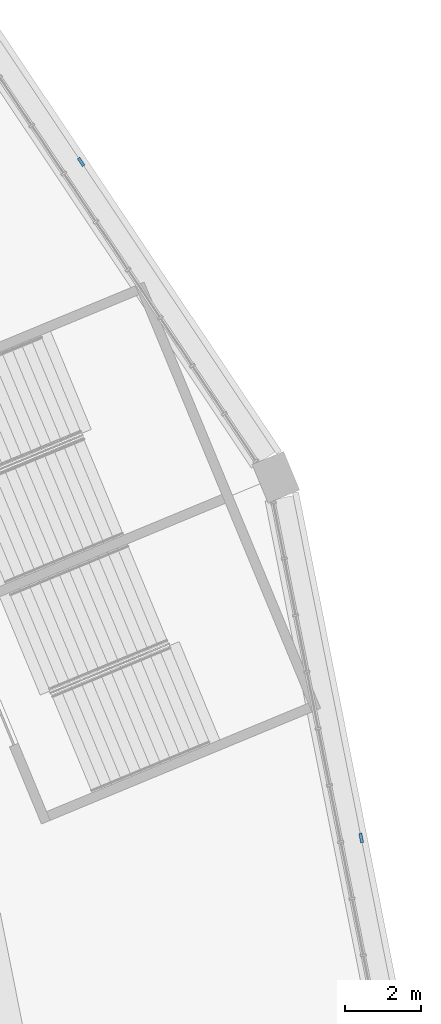
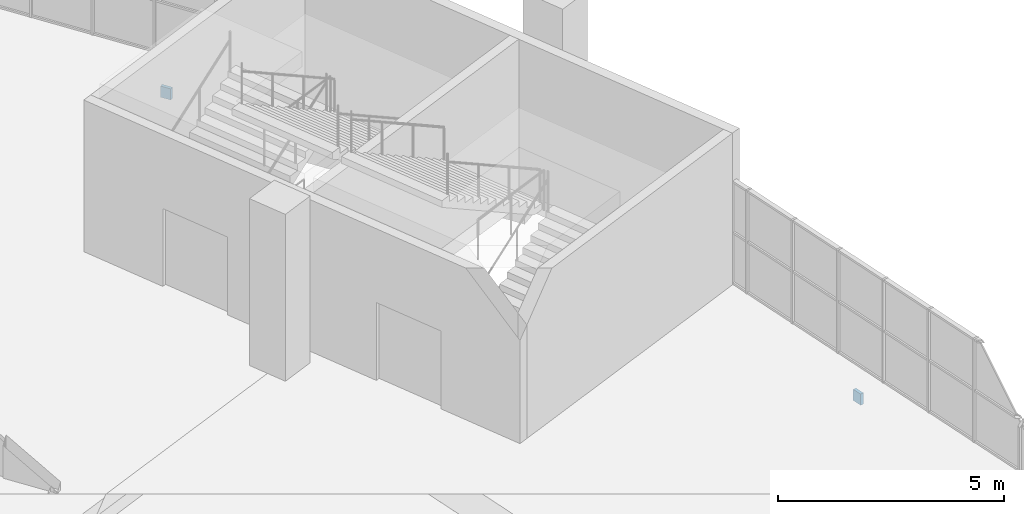
# One storey, part 113 of 249: 2 discrete accessories.
"""IFC4 building model written with IfcOpenShell, lengths in metres."""

from ifc_helpers import new_model, si_unit, direction, frame, origin, origin_2d, place, context, subcontext, project, spatial, rectangle, extrude, material, layer, layer_set, type_object, element, save


model = new_model("IFC4")

# Units and contexts
model_context = context("Model", 3, precision=1e-05, world=origin(), true_north=direction((0.0, 1.0)))
body_context = subcontext(model_context, "Body", "Model", "MODEL_VIEW")
ifc_project = project(units=[si_unit("LENGTHUNIT", "METRE"), si_unit("AREAUNIT", "SQUARE_METRE"), si_unit("VOLUMEUNIT", "CUBIC_METRE"), si_unit("PLANEANGLEUNIT", "RADIAN"), si_unit("MASSUNIT", "GRAM", prefix="KILO")], contexts=[model_context])

# Site, building, storey
site_placement = place(None, origin())
site = spatial("IfcSite", under=ifc_project, at=site_placement, CompositionType="ELEMENT")
building_placement = place(site_placement, origin())
building = spatial("IfcBuilding", under=site, at=building_placement, Name="Ogive Plaza Stadium", CompositionType="ELEMENT")
storey_placement = place(building_placement, frame((0.0, 0.0, 13.5)))
storey = spatial("IfcBuildingStorey", under=building, at=storey_placement, Name="L03", CompositionType="ELEMENT", Elevation=13.5)

# Discrete accessories
ifc_material = material(Name="Steel ASTM A572 Grade 50", Category="steel")
ifc_layer = layer(ifc_material, 0.080078125)
ifc_layer_set = layer_set([ifc_layer], Name="Steel ASTM A572 Grade 50")
discrete_accessory_type = type_object("IfcDiscreteAccessoryType", Name="Spandrel cladding bracket 250x300", PredefinedType="BRACKET", material=ifc_layer_set)
for number, where, z_axis, x_axis, name in (
    (1, (75.065673828125, 79.939208984375, -1.60986328125), (0.0, 0.0, 1.0), (0.555570233005, -0.831469612312, 0.0), "SPANDREL BRACKET B39 L03"),
    (2, (82.440185546875, 62.135498046875, -1.60986328125), (0.0, 0.0, 1.0), (0.195090321965, -0.980785280413, 0.0), "SPANDREL BRACKET B40 L03"),
):
    element("IfcDiscreteAccessory", number, at=place(storey_placement, frame(where, z_axis=z_axis, x_axis=x_axis)), inside=storey, type_object=discrete_accessory_type, Name=name, PredefinedType="BRACKET", context=body_context, shape_type="SweptSolid", body=[
        extrude(rectangle(XDim=0.25, YDim=0.080078125, at=origin_2d()), origin(), (0.0, 0.0, 1.0), 0.300048828125),
    ])

save(model, "model.ifc")
